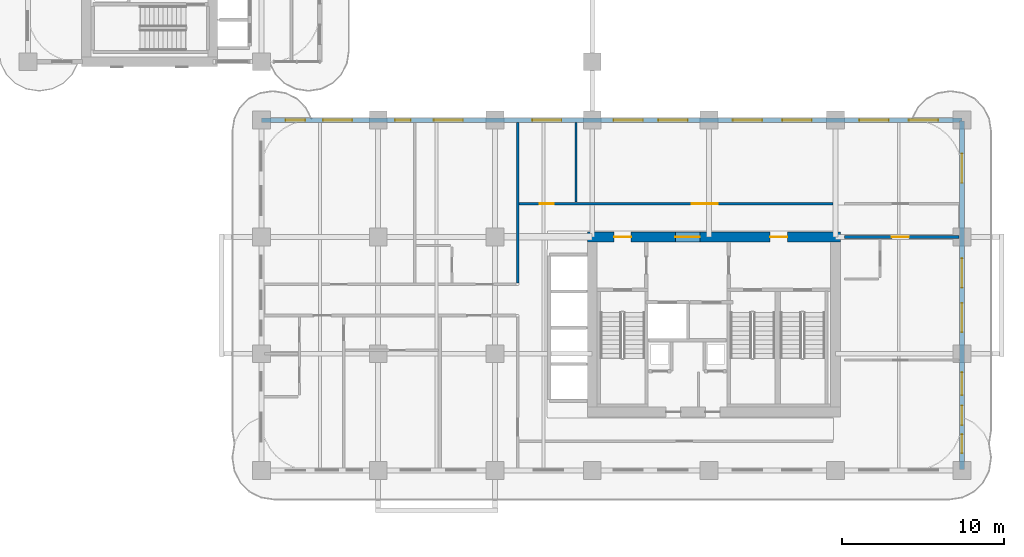
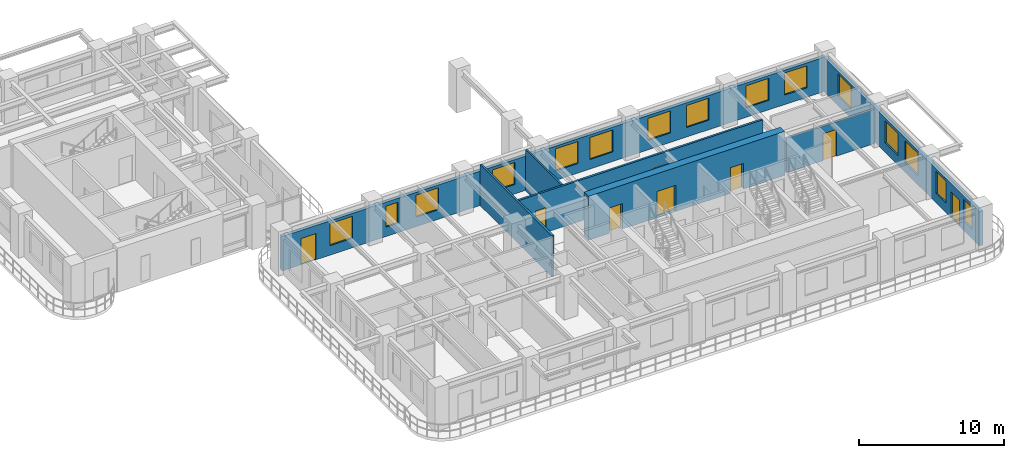
# One storey, part 9 of 18: 15 windows, 8 doors, 7 walls, 23 openings.
"""IFC4 building model written with IfcOpenShell, lengths in metres."""

import ifcopenshell
import ifcopenshell.guid

model = None  # the IFC model being written
_history = None  # IfcOwnerHistory: only IFC2X3 demands one
_inside = {}  # id of a spatial element -> (the spatial element, [elements in it])
_under = {}  # id of a project, library or spatial element -> (it, [spatial elements below it])
_declared = {}  # id of a project -> (the project, [libraries it declares])
_typed = {}  # id of a type object -> (the type object, [elements of that type])
_made_of = {}  # id of a material, layer set ... -> (it, [elements and type objects made of it])


def new_model(schema):
    """Start an empty IFC model of exactly this schema.

    Asked for "IFC4X3", IfcOpenShell would pick the latest addendum, in which some entities
    have other attributes; the version numbers below select the first issue.
    IFC2X3 requires an IfcOwnerHistory on every rooted entity: one is made here for all.
    """
    global model, _history
    if schema == "IFC4X3":
        model = ifcopenshell.file(schema_version=(4, 3, 0, 0))
    else:
        model = ifcopenshell.file(schema=schema)
    _inside.clear()
    _under.clear()
    _declared.clear()
    _typed.clear()
    _made_of.clear()
    _history = None
    if model.schema == "IFC2X3":
        org = make("IfcOrganization", Name="unknown")
        user = make(
            "IfcPersonAndOrganization",
            ThePerson=make("IfcPerson", FamilyName="unknown"),
            TheOrganization=org,
        )
        app = make(
            "IfcApplication",
            ApplicationDeveloper=org,
            Version="unknown",
            ApplicationFullName="unknown",
            ApplicationIdentifier="unknown",
        )
        _history = make(
            "IfcOwnerHistory",
            OwningUser=user,
            OwningApplication=app,
            ChangeAction="ADDED",
            CreationDate=0,
        )
    return model


def make(cls, **values):
    """One entity of the class cls with the attributes given. An attribute that is None is left unset."""
    return model.create_entity(
        cls, **{name: value for name, value in values.items() if value is not None}
    )


def rooted(cls, **values):
    """An entity with a GlobalId (a new one), such as an element, a storey or a relation."""
    return make(cls, GlobalId=ifcopenshell.guid.new(), OwnerHistory=_history, **values)


def si_unit(unit_type, name, prefix=None):
    """IfcSIUnit, for example si_unit("LENGTHUNIT", "METRE", prefix="MILLI")."""
    return make("IfcSIUnit", UnitType=unit_type, Prefix=prefix, Name=name)


def derived_unit(unit_type, elements):
    """IfcDerivedUnit: a product of units, each with its exponent."""
    return make(
        "IfcDerivedUnit",
        Elements=[
            make("IfcDerivedUnitElement", Unit=unit, Exponent=power)
            for unit, power in elements
        ],
        UnitType=unit_type,
    )


def assignment(units):
    """IfcUnitAssignment: the units of a project."""
    return None if units is None else make("IfcUnitAssignment", Units=units)


def point(xyz):
    """IfcCartesianPoint."""
    return None if xyz is None else make("IfcCartesianPoint", Coordinates=xyz)


def direction(xyz):
    """IfcDirection."""
    return None if xyz is None else make("IfcDirection", DirectionRatios=xyz)


def frame(location, z_axis=None, x_axis=None):
    """IfcAxis2Placement3D, a coordinate frame: its origin and axes. An axis left out is left unset."""
    return make(
        "IfcAxis2Placement3D",
        Location=point(location),
        Axis=direction(z_axis),
        RefDirection=direction(x_axis),
    )


def frame_2d(location, x_axis=None):
    """IfcAxis2Placement2D, a coordinate frame in the plane: its origin and x axis."""
    return make(
        "IfcAxis2Placement2D", Location=point(location), RefDirection=direction(x_axis)
    )


def origin():
    """The frame at (0, 0, 0) with its axes left unset."""
    return frame((0.0, 0.0, 0.0))


def place(relative_to, where):
    """IfcLocalPlacement: puts the frame where relative to a parent placement (None: the world)."""
    return make(
        "IfcLocalPlacement", PlacementRelTo=relative_to, RelativePlacement=where
    )


def context(
    kind, dimensions, precision=None, world=None, true_north=None, identifier=None
):
    """IfcGeometricRepresentationContext, for example the 3D "Model" context."""
    return make(
        "IfcGeometricRepresentationContext",
        ContextIdentifier=identifier,
        ContextType=kind,
        CoordinateSpaceDimension=dimensions,
        Precision=precision,
        WorldCoordinateSystem=world,
        TrueNorth=true_north,
    )


def subcontext(parent, identifier, kind, view, scale=None):
    """IfcGeometricRepresentationSubContext, for example "Body" below "Model"."""
    return make(
        "IfcGeometricRepresentationSubContext",
        ContextIdentifier=identifier,
        ContextType=kind,
        ParentContext=parent,
        TargetScale=scale,
        TargetView=view,
    )


def project(units=None, contexts=None):
    """IfcProject with its units and contexts."""
    return rooted(
        "IfcProject",
        Name="project",
        RepresentationContexts=contexts,
        UnitsInContext=assignment(units),
    )


def spatial(cls, under=None, at=None, **own):
    """A site, building, storey or space (cls), placed at a placement, below another one or the project."""
    s = rooted(cls, ObjectPlacement=at, **own)
    if under is not None:
        _under.setdefault(under.id(), (under, []))[1].append(s)
    return s


def profile(cls, at=None, kind="AREA", **sizes):
    """A parametric profile (cls). Its sizes go by their IFC names, for example OverallWidth=200.0."""
    return make(cls, ProfileType=kind, Position=at, **sizes)


def rectangle(**sizes):
    """IfcRectangleProfileDef."""
    return profile("IfcRectangleProfileDef", **sizes)


def extrude(swept, where, along, depth):
    """IfcExtrudedAreaSolid: the profile swept, set in the frame where, extruded along a direction by depth."""
    return make(
        "IfcExtrudedAreaSolid",
        SweptArea=swept,
        Position=where,
        ExtrudedDirection=direction(along),
        Depth=depth,
    )


def shape(context_of_items, identifier, shape_type, items):
    """IfcShapeRepresentation: the items that make up one representation, for example the "Body"."""
    return make(
        "IfcShapeRepresentation",
        ContextOfItems=context_of_items,
        RepresentationIdentifier=identifier,
        RepresentationType=shape_type,
        Items=items,
    )


def source(mapping_origin, context_of_items, identifier, shape_type, items):
    """IfcRepresentationMap: a shape defined once, which mapped items show again and again."""
    return make(
        "IfcRepresentationMap",
        MappingOrigin=mapping_origin,
        MappedRepresentation=shape(context_of_items, identifier, shape_type, items),
    )


def transform(
    local_origin,
    x_axis=None,
    y_axis=None,
    z_axis=None,
    scale=None,
    scale2=None,
    scale3=None,
    uniform=True,
):
    """IfcCartesianTransformationOperator3D, or its non-uniform kind. x_axis, y_axis, z_axis: its Axis1, 2, 3."""
    if uniform:
        return make(
            "IfcCartesianTransformationOperator3D",
            Axis1=direction(x_axis),
            Axis2=direction(y_axis),
            LocalOrigin=point(local_origin),
            Scale=scale,
            Axis3=direction(z_axis),
        )
    return make(
        "IfcCartesianTransformationOperator3DnonUniform",
        Axis1=direction(x_axis),
        Axis2=direction(y_axis),
        LocalOrigin=point(local_origin),
        Scale=scale,
        Axis3=direction(z_axis),
        Scale2=scale2,
        Scale3=scale3,
    )


def mapped(mapping_source, mapping_target):
    """IfcMappedItem: shows the shape of a source again, moved by a transform."""
    return make(
        "IfcMappedItem", MappingSource=mapping_source, MappingTarget=mapping_target
    )


def material(Name=None, Category=None):
    """IfcMaterial."""
    return make("IfcMaterial", Name=Name, Category=Category)


def layer(
    of_material, thickness, ventilated=None, Name=None, Category=None, Priority=None
):
    """IfcMaterialLayer: one layer of a wall or slab, of a material (None: an air gap)."""
    return make(
        "IfcMaterialLayer",
        Material=of_material,
        LayerThickness=thickness,
        IsVentilated=ventilated,
        Name=Name,
        Category=Category,
        Priority=Priority,
    )


def layer_set(layers, Name=None):
    """IfcMaterialLayerSet."""
    return make("IfcMaterialLayerSet", MaterialLayers=layers, LayerSetName=Name)


def made_of(thing, what):
    """Note that an element or type object is made of a material, layer set ...; save() writes the relation."""
    if what is not None:
        _made_of.setdefault(what.id(), (what, []))[1].append(thing)
    return thing


def type_object(cls, material=None, **own):
    """A type object (cls), such as IfcWallType, which elements share."""
    return made_of(rooted(cls, **own), material)


def type_shapes(of_type, sources):
    """Give a type object the sources (RepresentationMaps) that its elements show as mapped items."""
    of_type.RepresentationMaps = sources


def element(
    cls,
    number,
    at=None,
    inside=None,
    cuts=None,
    type_object=None,
    material=None,
    context=None,
    identifier="Body",
    shape_type=None,
    held_by="IfcProductDefinitionShape",
    body=None,
    shapes=None,
    **own,
):
    """One element of the class cls, such as IfcWall. Its Tag is "e" and its number.

    at: its placement. inside: the storey or other place that contains it. cuts: it is an
    opening in that element (IfcRelVoidsElement). A single representation is given by context,
    identifier, shape_type and body (its items); several are given by shapes. held_by: the class
    of the entity that holds the representations. save() writes the other relations.
    """
    e = rooted(cls, Tag="e%d" % number, ObjectPlacement=at, **own)
    if body is not None:
        shapes = [shape(context, identifier, shape_type, body)]
    if shapes is not None:
        e.Representation = make(held_by, Representations=shapes)
    if inside is not None:
        _inside.setdefault(inside.id(), (inside, []))[1].append(e)
    if cuts is not None:
        rooted(
            "IfcRelVoidsElement", RelatingBuildingElement=cuts, RelatedOpeningElement=e
        )
    if type_object is not None:
        _typed.setdefault(type_object.id(), (type_object, []))[1].append(e)
    return made_of(e, material)


def fill(opening, filler):
    """IfcRelFillsElement: the door or window that sits in an opening."""
    return rooted(
        "IfcRelFillsElement",
        RelatingOpeningElement=opening,
        RelatedBuildingElement=filler,
    )


def aggregate(whole, parts):
    """IfcRelAggregates: a whole, such as a stair, and the parts it consists of."""
    return rooted("IfcRelAggregates", RelatingObject=whole, RelatedObjects=parts)


def save(model, path):
    """Write the relations noted so far, then the file.

    IfcRelAggregates (storeys below a building ...), IfcRelContainedInSpatialStructure (elements
    in a storey), IfcRelDefinesByType, IfcRelAssociatesMaterial and IfcRelDeclares: one each for
    every whole, place, type object, material and project.
    """
    for whole, parts in _under.values():
        aggregate(whole, parts)
    for where, things in _inside.values():
        rooted(
            "IfcRelContainedInSpatialStructure",
            RelatedElements=things,
            RelatingStructure=where,
        )
    for kind, things in _typed.values():
        rooted("IfcRelDefinesByType", RelatedObjects=things, RelatingType=kind)
    for what, things in _made_of.values():
        rooted("IfcRelAssociatesMaterial", RelatedObjects=things, RelatingMaterial=what)
    for by, libraries in _declared.values():
        rooted("IfcRelDeclares", RelatingContext=by, RelatedDefinitions=libraries)
    model.write(path)


model = new_model("IFC4")

# Units and contexts
model_context = context("Model", 3, precision=1e-05, world=origin(), true_north=direction((0.0, 1.0)))
body_context = subcontext(model_context, "Body", "Model", "MODEL_VIEW")
ifc_project = project(units=[si_unit("LENGTHUNIT", "METRE"), si_unit("AREAUNIT", "SQUARE_METRE"), si_unit("VOLUMEUNIT", "CUBIC_METRE"), si_unit("PLANEANGLEUNIT", "RADIAN"), si_unit("MASSUNIT", "GRAM", prefix="KILO"), si_unit("THERMODYNAMICTEMPERATUREUNIT", "KELVIN"), si_unit("POWERUNIT", "WATT"), derived_unit("THERMALTRANSMITTANCEUNIT", [(si_unit("POWERUNIT", "WATT"), 1), (si_unit("AREAUNIT", "SQUARE_METRE"), -1), (si_unit("THERMODYNAMICTEMPERATUREUNIT", "KELVIN"), -1)])], contexts=[model_context])

# Site, building, storey
site_placement = place(None, origin())
site = spatial("IfcSite", under=ifc_project, at=site_placement, CompositionType="ELEMENT")
building_placement = place(site_placement, origin())
building = spatial("IfcBuilding", under=site, at=building_placement, Name="Zahravan Archway Hotel and Residences", CompositionType="ELEMENT")
storey_placement = place(building_placement, frame((0.0, 0.0, 58.300048828125)))
storey = spatial("IfcBuildingStorey", under=building, at=storey_placement, Name="L13", CompositionType="ELEMENT", Elevation=58.300048828125)

# Wall, openings, doors
ifc_material_1 = material(Name="Concrete C70/85", Category="concrete")
ifc_layer_1 = layer(ifc_material_1, 0.60009765625, Name="Concrete C70/85", Category="concrete")
ifc_layer_set_1 = layer_set([ifc_layer_1], Name="Concrete C70/85")
wall_type_1 = type_object("IfcWallType", Name="CW-CORE-600", PredefinedType="SHEAR", material=ifc_layer_set_1)
wall_1_placement = place(storey_placement, frame((34.5, 14.39990234375, 0.0), z_axis=(0.0, 0.0, 1.0), x_axis=(1.0, 0.0, 0.0)))
wall_1 = element("IfcWall", 1, at=wall_1_placement, inside=storey, type_object=wall_type_1, Name="L13 Core A Shear N Wall 600 mm", PredefinedType="SHEAR", context=body_context, shape_type="SweptSolid", body=[
    extrude(rectangle(XDim=15.60009765625, YDim=0.60009765625, at=frame_2d((7.800048828125, 0.0))), origin(), (0.0, 0.0, 1.0), 3.699951171875),
])
opening_1_placement = place(wall_1_placement, frame((5.429931640625, 0.0, 0.0)))
opening_1 = element("IfcOpeningElement", 2, at=opening_1_placement, cuts=wall_1, Name="Opening FD-L1", PredefinedType="OPENING", context=body_context, shape_type="SweptSolid", body=[
    extrude(rectangle(XDim=1.5, YDim=2.199951171875, at=frame_2d((0.75, 1.10009765625))), frame((0.0, 0.31005859375, 0.0), z_axis=(0.0, -1.0, 0.0), x_axis=(1.0, 0.0, 0.0)), (0.0, 0.0, 1.0), 0.6201171875),
])
opening_2_placement = place(wall_1_placement, frame((1.64501953125, 0.0, 0.0)))
opening_2 = element("IfcOpeningElement", 3, at=opening_2_placement, cuts=wall_1, Name="Opening FD-L2", PredefinedType="OPENING", context=body_context, shape_type="SweptSolid", body=[
    extrude(rectangle(XDim=1.050048828125, YDim=2.14990234375, at=frame_2d((0.52490234375, 1.074951171875))), frame((0.0, 0.31005859375, 0.0), z_axis=(0.0, -1.0, 0.0), x_axis=(1.0, 0.0, 0.0)), (0.0, 0.0, 1.0), 0.6201171875),
])
opening_3_placement = place(wall_1_placement, frame((11.27490234375, 0.0, 0.0)))
opening_3 = element("IfcOpeningElement", 4, at=opening_3_placement, cuts=wall_1, Name="Opening FD-L2", PredefinedType="OPENING", context=body_context, shape_type="SweptSolid", body=[
    extrude(rectangle(XDim=1.050048828125, YDim=2.14990234375, at=frame_2d((0.52490234375, 1.074951171875))), frame((0.0, 0.31005859375, 0.0), z_axis=(0.0, -1.0, 0.0), x_axis=(1.0, 0.0, 0.0)), (0.0, 0.0, 1.0), 0.6201171875),
])
ifc_material_2 = material(Name="Fire-Rated Painted Steel", Category="steel")
door_type_1 = type_object("IfcDoorType", Name="FD-LOBBY-1100", OperationType="NOTDEFINED", PredefinedType="DOOR", material=ifc_material_2)
shared_shape_1 = source(origin(), body_context, "Body", "SweptSolid", [
    extrude(rectangle(XDim=1.050048828125, YDim=2.14990234375, at=frame_2d((0.52490234375, 1.074951171875))), frame((0.0, 0.02490234375, 0.0), z_axis=(0.0, -1.0, 0.0), x_axis=(1.0, 0.0, 0.0)), (0.0, 0.0, 1.0), 0.050048828125),
])
type_shapes(door_type_1, [shared_shape_1])
door_1_placement = place(opening_2_placement, origin())
door_1 = element("IfcDoor", 5, at=door_1_placement, inside=storey, type_object=door_type_1, Name="L13 Core A West Stair Lobby Door", OperationType="SINGLE_SWING_LEFT", OverallHeight=2.14990234375, OverallWidth=1.050048828125, PredefinedType="DOOR", context=body_context, shape_type="MappedRepresentation", body=[
    mapped(shared_shape_1, transform((0.0, 0.0, 0.0), scale=1.0)),
])
fill(opening_2, door_1)
door_2_placement = place(opening_3_placement, origin())
door_2 = element("IfcDoor", 6, at=door_2_placement, inside=storey, type_object=door_type_1, Name="L13 Core A East Stair Lobby Door", OperationType="SINGLE_SWING_RIGHT", OverallHeight=2.14990234375, OverallWidth=1.050048828125, PredefinedType="DOOR", context=body_context, shape_type="MappedRepresentation", body=[
    mapped(shared_shape_1, transform((0.0, 0.0, 0.0), scale=1.0)),
])
fill(opening_3, door_2)
door_type_2 = type_object("IfcDoorType", Name="FD-LOBBY-1500", OperationType="DOUBLE_DOOR_SINGLE_SWING", PredefinedType="DOOR", material=ifc_material_2)
shared_shape_2 = source(origin(), body_context, "Body", "SweptSolid", [
    extrude(rectangle(XDim=1.5, YDim=2.199951171875, at=frame_2d((0.75, 1.10009765625))), frame((0.0, 0.02490234375, 0.0), z_axis=(0.0, -1.0, 0.0), x_axis=(1.0, 0.0, 0.0)), (0.0, 0.0, 1.0), 0.050048828125),
])
type_shapes(door_type_2, [shared_shape_2])
door_3_placement = place(opening_1_placement, origin())
door_3 = element("IfcDoor", 7, at=door_3_placement, inside=storey, type_object=door_type_2, Name="L13 Core A FSAE Lobby Main Door", OperationType="DOUBLE_DOOR_SINGLE_SWING", OverallHeight=2.199951171875, OverallWidth=1.5, PredefinedType="DOOR", context=body_context, shape_type="MappedRepresentation", body=[
    mapped(shared_shape_2, transform((0.0, 0.0, 0.0), scale=1.0)),
])
fill(opening_1, door_3)

# Wall, openings, door, windows
ifc_material_3 = material(Name="Honed Red-Ochre Sandstone & Insulated Block", Category="masonry")
ifc_layer_2 = layer(ifc_material_3, 0.280029296875, Name="Honed Red-Ochre Sandstone & Insulated Block", Category="masonry")
ifc_layer_set_2 = layer_set([ifc_layer_2], Name="Honed Red-Ochre Sandstone & Insulated Block")
wall_type_2 = type_object("IfcWallType", Name="EW-LOG-280", PredefinedType="SOLIDWALL", material=ifc_layer_set_2)
wall_2_placement = place(storey_placement, frame((57.60009765625, 0.050048828125, 0.0), z_axis=(0.0, 0.0, 1.0), x_axis=(0.0, 1.0, 0.0)))
wall_2 = element("IfcWall", 8, at=wall_2_placement, inside=storey, type_object=wall_type_2, Name="L13 Exterior Sandstone Wall WA-E", PredefinedType="SOLIDWALL", context=body_context, shape_type="SweptSolid", body=[
    extrude(rectangle(XDim=21.5, YDim=0.280029296875, at=frame_2d((10.75, 0.0))), origin(), (0.0, 0.0, 1.0), 2.885009765625),
])
opening_4_placement = place(wall_2_placement, frame((2.75, 0.0, 0.0)))
opening_4 = element("IfcOpeningElement", 9, at=opening_4_placement, cuts=wall_2, Name="Opening ED-BL1", PredefinedType="OPENING", context=body_context, shape_type="SweptSolid", body=[
    extrude(rectangle(XDim=1.199951171875, YDim=2.199951171875, at=frame_2d((0.60009765625, 1.10009765625))), frame((0.0, 0.14990234375, 0.0), z_axis=(0.0, -1.0, 0.0), x_axis=(1.0, 0.0, 0.0)), (0.0, 0.0, 1.0), 0.300048828125),
])
opening_5_placement = place(wall_2_placement, frame((1.02490234375, 0.0, 0.800048828125)))
opening_5 = element("IfcOpeningElement", 10, at=opening_5_placement, cuts=wall_2, Name="Opening W-05", PredefinedType="OPENING", context=body_context, shape_type="SweptSolid", body=[
    extrude(rectangle(XDim=1.14990234375, YDim=1.800048828125, at=frame_2d((0.574951171875, 0.89990234375))), frame((0.0, 0.14990234375, 0.0), z_axis=(0.0, -1.0, 0.0), x_axis=(1.0, 0.0, 0.0)), (0.0, 0.0, 1.0), 0.300048828125),
])
opening_6_placement = place(wall_2_placement, frame((4.60009765625, 0.0, 0.800048828125)))
opening_6 = element("IfcOpeningElement", 11, at=opening_6_placement, cuts=wall_2, Name="Opening W-03", PredefinedType="OPENING", context=body_context, shape_type="SweptSolid", body=[
    extrude(rectangle(XDim=1.39990234375, YDim=1.85009765625, at=frame_2d((0.699951171875, 0.925048828125))), frame((0.0, 0.14990234375, 0.0), z_axis=(0.0, -1.0, 0.0), x_axis=(1.0, 0.0, 0.0)), (0.0, 0.0, 1.0), 0.300048828125),
])
opening_7_placement = place(wall_2_placement, frame((8.47509765625, 0.0, 0.800048828125)))
opening_7 = element("IfcOpeningElement", 12, at=opening_7_placement, cuts=wall_2, Name="Opening W-02", PredefinedType="OPENING", context=body_context, shape_type="SweptSolid", body=[
    extrude(rectangle(XDim=1.800048828125, YDim=1.85009765625, at=frame_2d((0.89990234375, 0.925048828125))), frame((0.0, 0.14990234375, 0.0), z_axis=(0.0, -1.0, 0.0), x_axis=(1.0, 0.0, 0.0)), (0.0, 0.0, 1.0), 0.300048828125),
])
opening_8_placement = place(wall_2_placement, frame((11.22509765625, 0.0, 0.800048828125)))
opening_8 = element("IfcOpeningElement", 13, at=opening_8_placement, cuts=wall_2, Name="Opening W-02", PredefinedType="OPENING", context=body_context, shape_type="SweptSolid", body=[
    extrude(rectangle(XDim=1.800048828125, YDim=1.85009765625, at=frame_2d((0.89990234375, 0.925048828125))), frame((0.0, 0.14990234375, 0.0), z_axis=(0.0, -1.0, 0.0), x_axis=(1.0, 0.0, 0.0)), (0.0, 0.0, 1.0), 0.300048828125),
])
opening_9_placement = place(wall_2_placement, frame((17.678955078125, 0.0, 0.800048828125)))
opening_9 = element("IfcOpeningElement", 14, at=opening_9_placement, cuts=wall_2, Name="Opening W-02", PredefinedType="OPENING", context=body_context, shape_type="SweptSolid", body=[
    extrude(rectangle(XDim=1.800048828125, YDim=1.85009765625, at=frame_2d((0.89990234375, 0.925048828125))), frame((0.0, 0.14990234375, 0.0), z_axis=(0.0, -1.0, 0.0), x_axis=(1.0, 0.0, 0.0)), (0.0, 0.0, 1.0), 0.300048828125),
])
ifc_material_4 = material(Name="Bronze-Anodized Glazed Aluminium", Category="aluminium")
door_type_3 = type_object("IfcDoorType", Name="ED-BALC-1200", OperationType="SLIDING_TO_LEFT", PredefinedType="DOOR", material=ifc_material_4)
shared_shape_3 = source(origin(), body_context, "Body", "SweptSolid", [
    extrude(rectangle(XDim=1.199951171875, YDim=2.199951171875, at=frame_2d((0.60009765625, 1.10009765625))), frame((0.0, 0.02490234375, 0.0), z_axis=(0.0, -1.0, 0.0), x_axis=(1.0, 0.0, 0.0)), (0.0, 0.0, 1.0), 0.050048828125),
])
type_shapes(door_type_3, [shared_shape_3])
door_4_placement = place(opening_4_placement, origin())
door_4 = element("IfcDoor", 15, at=door_4_placement, inside=storey, type_object=door_type_3, Name="L13 Outdoor Access Sliding Door (SLB-BAL-L13-EA)", OperationType="SLIDING_TO_LEFT", OverallHeight=2.199951171875, OverallWidth=1.199951171875, PredefinedType="DOOR", context=body_context, shape_type="MappedRepresentation", body=[
    mapped(shared_shape_3, transform((0.0, 0.0, 0.0), scale=1.0)),
])
fill(opening_4, door_4)
ifc_material_5 = material(Name="Bronze-Anodized Thermal-Break Aluminium & Low-E Glass", Category="aluminium")
window_type_1 = type_object("IfcWindowType", Name="WIN-TWR-1400", PartitioningType="SINGLE_PANEL", PredefinedType="WINDOW", material=ifc_material_5)
shared_shape_4 = source(origin(), body_context, "Body", "SweptSolid", [
    extrude(rectangle(XDim=1.39990234375, YDim=1.85009765625, at=frame_2d((0.699951171875, 0.925048828125))), frame((0.0, 0.030029296875, 0.0), z_axis=(0.0, -1.0, 0.0), x_axis=(1.0, 0.0, 0.0)), (0.0, 0.0, 1.0), 0.06005859375),
])
type_shapes(window_type_1, [shared_shape_4])
window_1_placement = place(opening_6_placement, origin())
window_1 = element("IfcWindow", 16, at=window_1_placement, inside=storey, type_object=window_type_1, Name="L13 Loggia Window 13", OverallHeight=1.85009765625, OverallWidth=1.39990234375, PartitioningType="SINGLE_PANEL", PredefinedType="WINDOW", context=body_context, shape_type="MappedRepresentation", body=[
    mapped(shared_shape_4, transform((0.0, 0.0, 0.0), scale=1.0)),
])
fill(opening_6, window_1)
window_type_2 = type_object("IfcWindowType", Name="WIN-TWR-1800", PartitioningType="DOUBLE_PANEL_VERTICAL", PredefinedType="WINDOW", material=ifc_material_5)
shared_shape_5 = source(origin(), body_context, "Body", "SweptSolid", [
    extrude(rectangle(XDim=1.800048828125, YDim=1.85009765625, at=frame_2d((0.89990234375, 0.925048828125))), frame((0.0, 0.030029296875, 0.0), z_axis=(0.0, -1.0, 0.0), x_axis=(1.0, 0.0, 0.0)), (0.0, 0.0, 1.0), 0.06005859375),
])
type_shapes(window_type_2, [shared_shape_5])
window_2_placement = place(opening_7_placement, origin())
window_2 = element("IfcWindow", 17, at=window_2_placement, inside=storey, type_object=window_type_2, Name="L13 Loggia Window 14", OverallHeight=1.85009765625, OverallWidth=1.800048828125, PartitioningType="DOUBLE_PANEL_VERTICAL", PredefinedType="WINDOW", context=body_context, shape_type="MappedRepresentation", body=[
    mapped(shared_shape_5, transform((0.0, 0.0, 0.0), scale=1.0)),
])
fill(opening_7, window_2)
window_3_placement = place(opening_8_placement, origin())
window_3 = element("IfcWindow", 18, at=window_3_placement, inside=storey, type_object=window_type_2, Name="L13 Loggia Window 15", OverallHeight=1.85009765625, OverallWidth=1.800048828125, PartitioningType="DOUBLE_PANEL_VERTICAL", PredefinedType="WINDOW", context=body_context, shape_type="MappedRepresentation", body=[
    mapped(shared_shape_5, transform((0.0, 0.0, 0.0), scale=1.0)),
])
fill(opening_8, window_3)
window_4_placement = place(opening_9_placement, origin())
window_4 = element("IfcWindow", 19, at=window_4_placement, inside=storey, type_object=window_type_2, Name="L13 Loggia Window 16", OverallHeight=1.85009765625, OverallWidth=1.800048828125, PartitioningType="DOUBLE_PANEL_VERTICAL", PredefinedType="WINDOW", context=body_context, shape_type="MappedRepresentation", body=[
    mapped(shared_shape_5, transform((0.0, 0.0, 0.0), scale=1.0)),
])
fill(opening_9, window_4)
window_type_3 = type_object("IfcWindowType", Name="WIN-TWR-1150", PartitioningType="SINGLE_PANEL", PredefinedType="WINDOW", material=ifc_material_5)
shared_shape_6 = source(origin(), body_context, "Body", "SweptSolid", [
    extrude(rectangle(XDim=1.14990234375, YDim=1.800048828125, at=frame_2d((0.574951171875, 0.89990234375))), frame((0.0, 0.030029296875, 0.0), z_axis=(0.0, -1.0, 0.0), x_axis=(1.0, 0.0, 0.0)), (0.0, 0.0, 1.0), 0.06005859375),
])
type_shapes(window_type_3, [shared_shape_6])
window_5_placement = place(opening_5_placement, origin())
window_5 = element("IfcWindow", 20, at=window_5_placement, inside=storey, type_object=window_type_3, Name="L13 Loggia Window 12", OverallHeight=1.800048828125, OverallWidth=1.14990234375, PartitioningType="SINGLE_PANEL", PredefinedType="WINDOW", context=body_context, shape_type="MappedRepresentation", body=[
    mapped(shared_shape_6, transform((0.0, 0.0, 0.0), scale=1.0)),
])
fill(opening_5, window_5)

wall_3_placement = place(storey_placement, frame((14.39990234375, 21.60009765625, 0.0), z_axis=(0.0, 0.0, 1.0), x_axis=(1.0, 0.0, 0.0)))
wall_3 = element("IfcWall", 21, at=wall_3_placement, inside=storey, type_object=wall_type_2, Name="L13 Exterior Sandstone Wall WA-NE", PredefinedType="SOLIDWALL", context=body_context, shape_type="SweptSolid", body=[
    extrude(rectangle(XDim=43.2001953125, YDim=0.280029296875, at=frame_2d((21.60009765625, 0.0))), origin(), (0.0, 0.0, 1.0), 2.885009765625),
])
opening_10_placement = place(wall_3_placement, frame((1.5, 0.0, 0.0)))
opening_10 = element("IfcOpeningElement", 22, at=opening_10_placement, cuts=wall_3, Name="Opening ED-BL1", PredefinedType="OPENING", context=body_context, shape_type="SweptSolid", body=[
    extrude(rectangle(XDim=1.199951171875, YDim=2.199951171875, at=frame_2d((0.60009765625, 1.10009765625))), frame((0.0, 0.14990234375, 0.0), z_axis=(0.0, -1.0, 0.0), x_axis=(1.0, 0.0, 0.0)), (0.0, 0.0, 1.0), 0.300048828125),
])
opening_11_placement = place(wall_3_placement, frame((3.800048828125, 0.0, 0.800048828125)))
opening_11 = element("IfcOpeningElement", 23, at=opening_11_placement, cuts=wall_3, Name="Opening W-02", PredefinedType="OPENING", context=body_context, shape_type="SweptSolid", body=[
    extrude(rectangle(XDim=1.800048828125, YDim=1.85009765625, at=frame_2d((0.89990234375, 0.925048828125))), frame((0.0, 0.14990234375, 0.0), z_axis=(0.0, -1.0, 0.0), x_axis=(1.0, 0.0, 0.0)), (0.0, 0.0, 1.0), 0.300048828125),
])
opening_12_placement = place(wall_3_placement, frame((8.24609375, 0.0, 0.800048828125)))
opening_12 = element("IfcOpeningElement", 24, at=opening_12_placement, cuts=wall_3, Name="Opening W-04", PredefinedType="OPENING", context=body_context, shape_type="SweptSolid", body=[
    extrude(rectangle(XDim=0.949951171875, YDim=1.75, at=frame_2d((0.47509765625, 0.875))), frame((0.0, 0.14990234375, 0.0), z_axis=(0.0, -1.0, 0.0), x_axis=(1.0, 0.0, 0.0)), (0.0, 0.0, 1.0), 0.300048828125),
])
opening_13_placement = place(wall_3_placement, frame((10.62890625, 0.0, 0.800048828125)))
opening_13 = element("IfcOpeningElement", 25, at=opening_13_placement, cuts=wall_3, Name="Opening W-02", PredefinedType="OPENING", context=body_context, shape_type="SweptSolid", body=[
    extrude(rectangle(XDim=1.800048828125, YDim=1.85009765625, at=frame_2d((0.89990234375, 0.925048828125))), frame((0.0, 0.14990234375, 0.0), z_axis=(0.0, -1.0, 0.0), x_axis=(1.0, 0.0, 0.0)), (0.0, 0.0, 1.0), 0.300048828125),
])
opening_14_placement = place(wall_3_placement, frame((16.700927734375, 0.0, 0.800048828125)))
opening_14 = element("IfcOpeningElement", 26, at=opening_14_placement, cuts=wall_3, Name="Opening W-02", PredefinedType="OPENING", context=body_context, shape_type="SweptSolid", body=[
    extrude(rectangle(XDim=1.800048828125, YDim=1.85009765625, at=frame_2d((0.89990234375, 0.925048828125))), frame((0.0, 0.14990234375, 0.0), z_axis=(0.0, -1.0, 0.0), x_axis=(1.0, 0.0, 0.0)), (0.0, 0.0, 1.0), 0.300048828125),
])
opening_15_placement = place(wall_3_placement, frame((21.72509765625, 0.0, 0.800048828125)))
opening_15 = element("IfcOpeningElement", 27, at=opening_15_placement, cuts=wall_3, Name="Opening W-02", PredefinedType="OPENING", context=body_context, shape_type="SweptSolid", body=[
    extrude(rectangle(XDim=1.800048828125, YDim=1.85009765625, at=frame_2d((0.89990234375, 0.925048828125))), frame((0.0, 0.14990234375, 0.0), z_axis=(0.0, -1.0, 0.0), x_axis=(1.0, 0.0, 0.0)), (0.0, 0.0, 1.0), 0.300048828125),
])
opening_16_placement = place(wall_3_placement, frame((24.47509765625, 0.0, 0.800048828125)))
opening_16 = element("IfcOpeningElement", 28, at=opening_16_placement, cuts=wall_3, Name="Opening W-02", PredefinedType="OPENING", context=body_context, shape_type="SweptSolid", body=[
    extrude(rectangle(XDim=1.800048828125, YDim=1.85009765625, at=frame_2d((0.89990234375, 0.925048828125))), frame((0.0, 0.14990234375, 0.0), z_axis=(0.0, -1.0, 0.0), x_axis=(1.0, 0.0, 0.0)), (0.0, 0.0, 1.0), 0.300048828125),
])
opening_17_placement = place(wall_3_placement, frame((29.074951171875, 0.0, 0.800048828125)))
opening_17 = element("IfcOpeningElement", 29, at=opening_17_placement, cuts=wall_3, Name="Opening W-02", PredefinedType="OPENING", context=body_context, shape_type="SweptSolid", body=[
    extrude(rectangle(XDim=1.800048828125, YDim=1.85009765625, at=frame_2d((0.89990234375, 0.925048828125))), frame((0.0, 0.14990234375, 0.0), z_axis=(0.0, -1.0, 0.0), x_axis=(1.0, 0.0, 0.0)), (0.0, 0.0, 1.0), 0.300048828125),
])
opening_18_placement = place(wall_3_placement, frame((32.125, 0.0, 0.800048828125)))
opening_18 = element("IfcOpeningElement", 30, at=opening_18_placement, cuts=wall_3, Name="Opening W-02", PredefinedType="OPENING", context=body_context, shape_type="SweptSolid", body=[
    extrude(rectangle(XDim=1.800048828125, YDim=1.85009765625, at=frame_2d((0.89990234375, 0.925048828125))), frame((0.0, 0.14990234375, 0.0), z_axis=(0.0, -1.0, 0.0), x_axis=(1.0, 0.0, 0.0)), (0.0, 0.0, 1.0), 0.300048828125),
])
opening_19_placement = place(wall_3_placement, frame((36.875, 0.0, 0.800048828125)))
opening_19 = element("IfcOpeningElement", 31, at=opening_19_placement, cuts=wall_3, Name="Opening W-02", PredefinedType="OPENING", context=body_context, shape_type="SweptSolid", body=[
    extrude(rectangle(XDim=1.800048828125, YDim=1.85009765625, at=frame_2d((0.89990234375, 0.925048828125))), frame((0.0, 0.14990234375, 0.0), z_axis=(0.0, -1.0, 0.0), x_axis=(1.0, 0.0, 0.0)), (0.0, 0.0, 1.0), 0.300048828125),
])
opening_20_placement = place(wall_3_placement, frame((39.925048828125, 0.0, 0.800048828125)))
opening_20 = element("IfcOpeningElement", 32, at=opening_20_placement, cuts=wall_3, Name="Opening W-02", PredefinedType="OPENING", context=body_context, shape_type="SweptSolid", body=[
    extrude(rectangle(XDim=1.800048828125, YDim=1.85009765625, at=frame_2d((0.89990234375, 0.925048828125))), frame((0.0, 0.14990234375, 0.0), z_axis=(0.0, -1.0, 0.0), x_axis=(1.0, 0.0, 0.0)), (0.0, 0.0, 1.0), 0.300048828125),
])
door_5_placement = place(opening_10_placement, origin())
door_5 = element("IfcDoor", 33, at=door_5_placement, inside=storey, type_object=door_type_3, Name="L13 Outdoor Access Sliding Door (SLB-BAL-L13-WA)", OperationType="SLIDING_TO_LEFT", OverallHeight=2.199951171875, OverallWidth=1.199951171875, PredefinedType="DOOR", context=body_context, shape_type="MappedRepresentation", body=[
    mapped(shared_shape_3, transform((0.0, 0.0, 0.0), scale=1.0)),
])
fill(opening_10, door_5)
window_type_4 = type_object("IfcWindowType", Name="WIN-NAR-950", PartitioningType="SINGLE_PANEL", PredefinedType="WINDOW", material=ifc_material_5)
shared_shape_7 = source(origin(), body_context, "Body", "SweptSolid", [
    extrude(rectangle(XDim=0.949951171875, YDim=1.75, at=frame_2d((0.47509765625, 0.875))), frame((0.0, 0.030029296875, 0.0), z_axis=(0.0, -1.0, 0.0), x_axis=(1.0, 0.0, 0.0)), (0.0, 0.0, 1.0), 0.06005859375),
])
type_shapes(window_type_4, [shared_shape_7])
window_6_placement = place(opening_12_placement, origin())
window_6 = element("IfcWindow", 34, at=window_6_placement, inside=storey, type_object=window_type_4, Name="L13 Loggia Window 18", OverallHeight=1.75, OverallWidth=0.949951171875, PartitioningType="SINGLE_PANEL", PredefinedType="WINDOW", context=body_context, shape_type="MappedRepresentation", body=[
    mapped(shared_shape_7, transform((0.0, 0.0, 0.0), scale=1.0)),
])
fill(opening_12, window_6)
window_7_placement = place(opening_11_placement, origin())
window_7 = element("IfcWindow", 35, at=window_7_placement, inside=storey, type_object=window_type_2, Name="L13 Loggia Window 17", OverallHeight=1.85009765625, OverallWidth=1.800048828125, PartitioningType="DOUBLE_PANEL_VERTICAL", PredefinedType="WINDOW", context=body_context, shape_type="MappedRepresentation", body=[
    mapped(shared_shape_5, transform((0.0, 0.0, 0.0), scale=1.0)),
])
fill(opening_11, window_7)
window_8_placement = place(opening_13_placement, origin())
window_8 = element("IfcWindow", 36, at=window_8_placement, inside=storey, type_object=window_type_2, Name="L13 Loggia Window 19", OverallHeight=1.85009765625, OverallWidth=1.800048828125, PartitioningType="DOUBLE_PANEL_VERTICAL", PredefinedType="WINDOW", context=body_context, shape_type="MappedRepresentation", body=[
    mapped(shared_shape_5, transform((0.0, 0.0, 0.0), scale=1.0)),
])
fill(opening_13, window_8)
window_9_placement = place(opening_14_placement, origin())
window_9 = element("IfcWindow", 37, at=window_9_placement, inside=storey, type_object=window_type_2, Name="L13 Loggia Window 20", OverallHeight=1.85009765625, OverallWidth=1.800048828125, PartitioningType="DOUBLE_PANEL_VERTICAL", PredefinedType="WINDOW", context=body_context, shape_type="MappedRepresentation", body=[
    mapped(shared_shape_5, transform((0.0, 0.0, 0.0), scale=1.0)),
])
fill(opening_14, window_9)
window_10_placement = place(opening_15_placement, origin())
window_10 = element("IfcWindow", 38, at=window_10_placement, inside=storey, type_object=window_type_2, Name="L13 Loggia Window 21", OverallHeight=1.85009765625, OverallWidth=1.800048828125, PartitioningType="DOUBLE_PANEL_VERTICAL", PredefinedType="WINDOW", context=body_context, shape_type="MappedRepresentation", body=[
    mapped(shared_shape_5, transform((0.0, 0.0, 0.0), scale=1.0)),
])
fill(opening_15, window_10)
window_11_placement = place(opening_16_placement, origin())
window_11 = element("IfcWindow", 39, at=window_11_placement, inside=storey, type_object=window_type_2, Name="L13 Loggia Window 22", OverallHeight=1.85009765625, OverallWidth=1.800048828125, PartitioningType="DOUBLE_PANEL_VERTICAL", PredefinedType="WINDOW", context=body_context, shape_type="MappedRepresentation", body=[
    mapped(shared_shape_5, transform((0.0, 0.0, 0.0), scale=1.0)),
])
fill(opening_16, window_11)
window_12_placement = place(opening_17_placement, origin())
window_12 = element("IfcWindow", 40, at=window_12_placement, inside=storey, type_object=window_type_2, Name="L13 Loggia Window 23", OverallHeight=1.85009765625, OverallWidth=1.800048828125, PartitioningType="DOUBLE_PANEL_VERTICAL", PredefinedType="WINDOW", context=body_context, shape_type="MappedRepresentation", body=[
    mapped(shared_shape_5, transform((0.0, 0.0, 0.0), scale=1.0)),
])
fill(opening_17, window_12)
window_13_placement = place(opening_18_placement, origin())
window_13 = element("IfcWindow", 41, at=window_13_placement, inside=storey, type_object=window_type_2, Name="L13 Loggia Window 24", OverallHeight=1.85009765625, OverallWidth=1.800048828125, PartitioningType="DOUBLE_PANEL_VERTICAL", PredefinedType="WINDOW", context=body_context, shape_type="MappedRepresentation", body=[
    mapped(shared_shape_5, transform((0.0, 0.0, 0.0), scale=1.0)),
])
fill(opening_18, window_13)
window_14_placement = place(opening_19_placement, origin())
window_14 = element("IfcWindow", 42, at=window_14_placement, inside=storey, type_object=window_type_2, Name="L13 Loggia Window 25", OverallHeight=1.85009765625, OverallWidth=1.800048828125, PartitioningType="DOUBLE_PANEL_VERTICAL", PredefinedType="WINDOW", context=body_context, shape_type="MappedRepresentation", body=[
    mapped(shared_shape_5, transform((0.0, 0.0, 0.0), scale=1.0)),
])
fill(opening_19, window_14)
window_15_placement = place(opening_20_placement, origin())
window_15 = element("IfcWindow", 43, at=window_15_placement, inside=storey, type_object=window_type_2, Name="L13 Loggia Window 26", OverallHeight=1.85009765625, OverallWidth=1.800048828125, PartitioningType="DOUBLE_PANEL_VERTICAL", PredefinedType="WINDOW", context=body_context, shape_type="MappedRepresentation", body=[
    mapped(shared_shape_5, transform((0.0, 0.0, 0.0), scale=1.0)),
])
fill(opening_20, window_15)

# Wall
ifc_material_6 = material(Name="Fire-Rated Gypsum & Concrete Block", Category="concrete")
ifc_layer_3 = layer(ifc_material_6, 0.159912109375, Name="Fire-Rated Gypsum & Concrete Block", Category="concrete")
ifc_layer_set_3 = layer_set([ifc_layer_3], Name="Fire-Rated Gypsum & Concrete Block")
wall_type_3 = type_object("IfcWallType", Name="PW-CORR-160", PredefinedType="PARTITIONING", material=ifc_layer_set_3)
wall_4_placement = place(storey_placement, frame((30.199951171875, 11.56005859375, 0.0), z_axis=(0.0, 0.0, 1.0), x_axis=(0.0, 1.0, 0.0)))
element("IfcWall", 44, at=wall_4_placement, inside=storey, type_object=wall_type_3, Name="L13 Partition WA-FW", PredefinedType="PARTITIONING", context=body_context, shape_type="SweptSolid", body=[
    extrude(rectangle(XDim=9.89990234375, YDim=0.159912109375, at=frame_2d((4.949951171875, 0.0))), origin(), (0.0, 0.0, 1.0), 3.449951171875),
])

# Wall, openings, doors
wall_5_placement = place(storey_placement, frame((30.2900390625, 16.449951171875, 0.0), z_axis=(0.0, 0.0, 1.0), x_axis=(1.0, 0.0, 0.0)))
wall_5 = element("IfcWall", 45, at=wall_5_placement, inside=storey, type_object=wall_type_3, Name="L13 Partition WA-FN", PredefinedType="PARTITIONING", context=body_context, shape_type="SweptSolid", body=[
    extrude(rectangle(XDim=19.369873046875, YDim=0.159912109375, at=frame_2d((9.68505859375, 0.0))), origin(), (0.0, 0.0, 1.0), 3.449951171875),
])
opening_21_placement = place(wall_5_placement, frame((1.284912109375, 0.0, 0.0)))
opening_21 = element("IfcOpeningElement", 46, at=opening_21_placement, cuts=wall_5, Name="Opening D-B1", PredefinedType="OPENING", context=body_context, shape_type="SweptSolid", body=[
    extrude(rectangle(XDim=0.85009765625, YDim=2.10009765625, at=frame_2d((0.425048828125, 1.050048828125))), frame((0.0, 0.08984375, 0.0), z_axis=(0.0, -1.0, 0.0), x_axis=(1.0, 0.0, 0.0)), (0.0, 0.0, 1.0), 0.179931640625),
])
opening_22_placement = place(wall_5_placement, frame((10.659912109375, 0.0, 0.0)))
opening_22 = element("IfcOpeningElement", 47, at=opening_22_placement, cuts=wall_5, Name="Opening D-P2", PredefinedType="OPENING", context=body_context, shape_type="SweptSolid", body=[
    extrude(rectangle(XDim=1.60009765625, YDim=2.39990234375, at=frame_2d((0.800048828125, 1.199951171875))), frame((0.0, 0.08984375, 0.0), z_axis=(0.0, -1.0, 0.0), x_axis=(1.0, 0.0, 0.0)), (0.0, 0.0, 1.0), 0.179931640625),
])
door_type_4 = type_object("IfcDoorType", Name="ID-PUBLIC-1600", OperationType="DOUBLE_DOOR_SINGLE_SWING", PredefinedType="DOOR", material=ifc_material_4)
shared_shape_8 = source(origin(), body_context, "Body", "SweptSolid", [
    extrude(rectangle(XDim=1.60009765625, YDim=2.39990234375, at=frame_2d((0.800048828125, 1.199951171875))), frame((0.0, 0.02490234375, 0.0), z_axis=(0.0, -1.0, 0.0), x_axis=(1.0, 0.0, 0.0)), (0.0, 0.0, 1.0), 0.050048828125),
])
type_shapes(door_type_4, [shared_shape_8])
door_6_placement = place(opening_22_placement, origin())
door_6 = element("IfcDoor", 48, at=door_6_placement, inside=storey, type_object=door_type_4, Name="L13 North Fitness Gym Door", OperationType="DOUBLE_DOOR_SINGLE_SWING", OverallHeight=2.39990234375, OverallWidth=1.60009765625, PredefinedType="DOOR", context=body_context, shape_type="MappedRepresentation", body=[
    mapped(shared_shape_8, transform((0.0, 0.0, 0.0), scale=1.0)),
])
fill(opening_22, door_6)
ifc_material_7 = material(Name="Hardwood Veneer Timber", Category="wood")
door_type_5 = type_object("IfcDoorType", Name="ID-BATH-850", OperationType="NOTDEFINED", PredefinedType="DOOR", material=ifc_material_7)
shared_shape_9 = source(origin(), body_context, "Body", "SweptSolid", [
    extrude(rectangle(XDim=0.85009765625, YDim=2.10009765625, at=frame_2d((0.425048828125, 1.050048828125))), frame((0.0, 0.02490234375, 0.0), z_axis=(0.0, -1.0, 0.0), x_axis=(1.0, 0.0, 0.0)), (0.0, 0.0, 1.0), 0.050048828125),
])
type_shapes(door_type_5, [shared_shape_9])
door_7_placement = place(opening_21_placement, origin())
door_7 = element("IfcDoor", 49, at=door_7_placement, inside=storey, type_object=door_type_5, Name="L13 Accessible Restroom Door", OperationType="SINGLE_SWING_RIGHT", OverallHeight=2.10009765625, OverallWidth=0.85009765625, PredefinedType="DOOR", context=body_context, shape_type="MappedRepresentation", body=[
    mapped(shared_shape_9, transform((0.0, 0.0, 0.0), scale=1.0)),
])
fill(opening_21, door_7)

# Wall, opening, door
ifc_material_8 = material(Name="Acoustic Stud Partition")
ifc_layer_4 = layer(ifc_material_8, 0.169921875, Name="Acoustic Stud Partition")
ifc_layer_set_4 = layer_set([ifc_layer_4], Name="Acoustic Stud Partition")
wall_type_4 = type_object("IfcWallType", Name="PW-UNIT-170", PredefinedType="PARTITIONING", material=ifc_layer_set_4)
wall_6_placement = place(storey_placement, frame((50.340087890625, 14.39990234375, 0.0), z_axis=(0.0, 0.0, 1.0), x_axis=(1.0, 0.0, 0.0)))
wall_6 = element("IfcWall", 50, at=wall_6_placement, inside=storey, type_object=wall_type_4, Name="L13 Partition EA-PS", PredefinedType="PARTITIONING", context=body_context, shape_type="SweptSolid", body=[
    extrude(rectangle(XDim=7.06982421875, YDim=0.169921875, at=frame_2d((3.534912109375, 0.0))), origin(), (0.0, 0.0, 1.0), 2.885009765625),
])
opening_23_placement = place(wall_6_placement, frame((2.93505859375, 0.0, 0.0)))
opening_23 = element("IfcOpeningElement", 51, at=opening_23_placement, cuts=wall_6, Name="Opening D-U1", PredefinedType="OPENING", context=body_context, shape_type="SweptSolid", body=[
    extrude(rectangle(XDim=1.050048828125, YDim=2.25, at=frame_2d((0.52490234375, 1.125))), frame((0.0, 0.094970703125, 0.0), z_axis=(0.0, -1.0, 0.0), x_axis=(1.0, 0.0, 0.0)), (0.0, 0.0, 1.0), 0.18994140625),
])
door_type_6 = type_object("IfcDoorType", Name="ID-UNIT-1050", OperationType="NOTDEFINED", PredefinedType="DOOR", material=ifc_material_7)
shared_shape_10 = source(origin(), body_context, "Body", "SweptSolid", [
    extrude(rectangle(XDim=1.050048828125, YDim=2.25, at=frame_2d((0.52490234375, 1.125))), frame((0.0, 0.02490234375, 0.0), z_axis=(0.0, -1.0, 0.0), x_axis=(1.0, 0.0, 0.0)), (0.0, 0.0, 1.0), 0.050048828125),
])
type_shapes(door_type_6, [shared_shape_10])
door_8_placement = place(opening_23_placement, origin())
door_8 = element("IfcDoor", 52, at=door_8_placement, inside=storey, type_object=door_type_6, Name="L13 East Suite Door", OperationType="SINGLE_SWING_RIGHT", OverallHeight=2.25, OverallWidth=1.050048828125, PredefinedType="DOOR", context=body_context, shape_type="MappedRepresentation", body=[
    mapped(shared_shape_10, transform((0.0, 0.0, 0.0), scale=1.0)),
])
fill(opening_23, door_8)

# Wall
ifc_material_9 = material(Name="Moisture-Resistant Blockwork", Category="masonry")
ifc_layer_5 = layer(ifc_material_9, 0.139892578125, Name="Moisture-Resistant Blockwork", Category="masonry")
ifc_layer_set_5 = layer_set([ifc_layer_5], Name="Moisture-Resistant Blockwork")
wall_type_5 = type_object("IfcWallType", Name="PW-WET-140", PredefinedType="PARTITIONING", material=ifc_layer_set_5)
wall_7_placement = place(storey_placement, frame((33.800048828125, 16.5400390625, 0.0), z_axis=(0.0, 0.0, 1.0), x_axis=(0.0, 1.0, 0.0)))
element("IfcWall", 53, at=wall_7_placement, inside=storey, type_object=wall_type_5, Name="L13 Partition NE1-1", PredefinedType="PARTITIONING", context=body_context, shape_type="SweptSolid", body=[
    extrude(rectangle(XDim=4.911865234375, YDim=0.139892578125, at=frame_2d((2.4560546875, 0.0))), origin(), (0.0, 0.0, 1.0), 3.449951171875),
])

save(model, "model.ifc")
